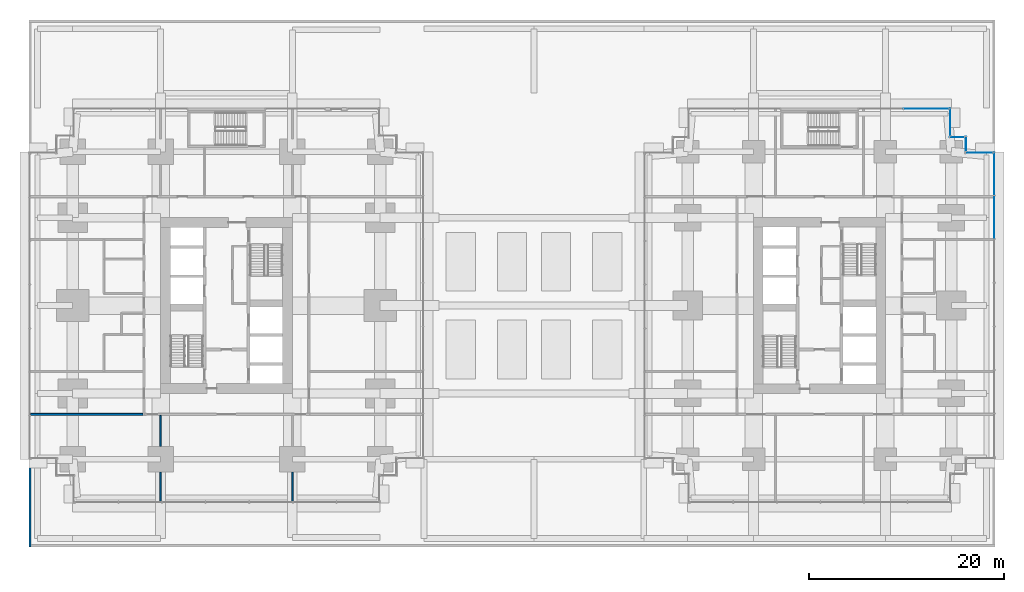
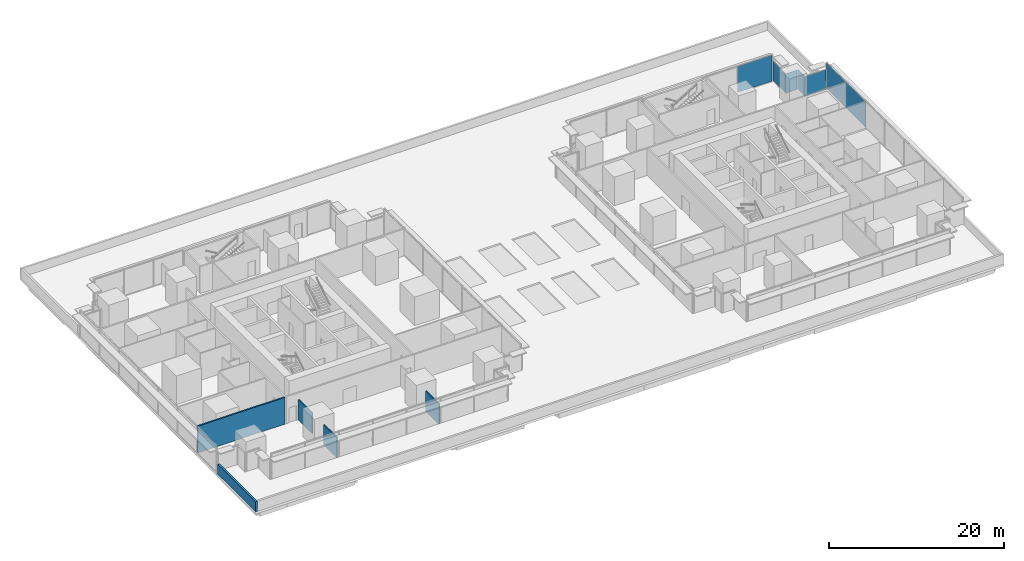
# One storey, part 23 of 34: 7 plates, 5 walls, 6 elements without a shape of their own.
"""IFC4 building model written with IfcOpenShell, lengths in metres."""

from ifc_helpers import new_model, si_unit, direction, frame, frame_2d, origin, origin_2d, place, context, subcontext, project, spatial, rectangle, extrude, material, layer, layer_set, type_object, element, aggregate, save


model = new_model("IFC4")

# Units and contexts
model_context = context("Model", 3, precision=1e-05, world=origin(), true_north=direction((0.0, 1.0)))
body_context = subcontext(model_context, "Body", "Model", "MODEL_VIEW")
ifc_project = project(units=[si_unit("LENGTHUNIT", "METRE"), si_unit("AREAUNIT", "SQUARE_METRE"), si_unit("VOLUMEUNIT", "CUBIC_METRE"), si_unit("PLANEANGLEUNIT", "RADIAN"), si_unit("MASSUNIT", "GRAM", prefix="KILO")], contexts=[model_context])

# Site, building, storey
site_placement = place(None, origin())
site = spatial("IfcSite", under=ifc_project, at=site_placement, CompositionType="ELEMENT")
building_placement = place(site_placement, origin())
building = spatial("IfcBuilding", under=site, at=building_placement, Name="Namib Vertical Campus", CompositionType="ELEMENT")
storey_placement = place(building_placement, frame((0.0, 0.0, 21.0)))
storey = spatial("IfcBuildingStorey", under=building, at=storey_placement, Name="L04", CompositionType="ELEMENT", Elevation=21.0)

# Curtain wall, plates
ifc_material_1 = material(Name="Black aluminium curtain wall", Category="aluminium")
ifc_layer_1 = layer(ifc_material_1, 0.199951171875)
ifc_layer_set_1 = layer_set([ifc_layer_1], Name="Lounge curtain wall CW-L4")
curtain_wall_type = type_object("IfcCurtainWallType", Name="Lounge curtain wall CW-L4", PredefinedType="USERDEFINED", material=ifc_layer_set_1)
curtain_wall_1_placement = place(storey_placement, origin())
curtain_wall_1 = element("IfcCurtainWall", 1, at=curtain_wall_1_placement, inside=storey, type_object=curtain_wall_type, Name="Curtain wall CW-L4 L04 F06-1", ObjectType="CURTAIN WALL", PredefinedType="USERDEFINED")
ifc_material_2 = material(Name="Dark tinted glass", Category="glass")
ifc_layer_2 = layer(ifc_material_2, 0.028076171875)
ifc_layer_set_2 = layer_set([ifc_layer_2], Name="Dark solar glass panel 28")
plate_type = type_object("IfcPlateType", Name="Dark solar glass panel 28", PredefinedType="CURTAIN_PANEL", material=ifc_layer_set_2)
plate_1_placement = place(storey_placement, frame((98.89990234375, 29.29296875, 0.06005859375), z_axis=(0.0, 0.0, 1.0), x_axis=(0.0, 1.0, 0.0)))
plate_1 = element("IfcPlate", 2, at=plate_1_placement, type_object=plate_type, Name="CW-L4 panel 6.1", PredefinedType="CURTAIN_PANEL", context=body_context, shape_type="SweptSolid", body=[
    extrude(rectangle(XDim=4.411376953125, YDim=0.028076171875, at=origin_2d()), origin(), (0.0, 0.0, 1.0), 3.6298828125),
])
plate_2_placement = place(storey_placement, frame((98.89990234375, 33.749267578125, 0.06005859375), z_axis=(0.0, 0.0, 1.0), x_axis=(0.0, 1.0, 0.0)))
plate_2 = element("IfcPlate", 3, at=plate_2_placement, type_object=plate_type, Name="CW-L4 panel 7.1", PredefinedType="CURTAIN_PANEL", context=body_context, shape_type="SweptSolid", body=[
    extrude(rectangle(XDim=4.38134765625, YDim=0.028076171875, at=origin_2d()), origin(), (0.0, 0.0, 1.0), 3.6298828125),
])
aggregate(curtain_wall_1, [plate_1, plate_2])

# Curtain wall, plate
curtain_wall_2_placement = place(storey_placement, origin())
curtain_wall_2 = element("IfcCurtainWall", 4, at=curtain_wall_2_placement, inside=storey, type_object=curtain_wall_type, Name="Curtain wall CW-L4 L04 F07-1", ObjectType="CURTAIN WALL", PredefinedType="USERDEFINED")
plate_3_placement = place(storey_placement, frame((97.35009765625, 35.89990234375, 0.06005859375), z_axis=(0.0, 0.0, 1.0), x_axis=(-1.0, 0.0, 0.0)))
plate_3 = element("IfcPlate", 5, at=plate_3_placement, type_object=plate_type, Name="CW-L4 panel 1.1", PredefinedType="CURTAIN_PANEL", context=body_context, shape_type="SweptSolid", body=[
    extrude(rectangle(XDim=2.780029296875, YDim=0.028076171875, at=origin_2d()), origin(), (0.0, 0.0, 1.0), 2.72998046875),
])
aggregate(curtain_wall_2, [plate_3])

curtain_wall_3_placement = place(storey_placement, origin())
curtain_wall_3 = element("IfcCurtainWall", 6, at=curtain_wall_3_placement, inside=storey, type_object=curtain_wall_type, Name="Curtain wall CW-L4 L04 F08-1", ObjectType="CURTAIN WALL", PredefinedType="USERDEFINED")
plate_4_placement = place(storey_placement, frame((96.0, 36.800048828125, 0.06005859375), z_axis=(0.0, 0.0, 1.0), x_axis=(0.0, 1.0, 0.0)))
plate_4 = element("IfcPlate", 7, at=plate_4_placement, type_object=plate_type, Name="CW-L4 panel 1.1", PredefinedType="CURTAIN_PANEL", context=body_context, shape_type="SweptSolid", body=[
    extrude(rectangle(XDim=1.47998046875, YDim=0.028076171875, at=origin_2d()), origin(), (0.0, 0.0, 1.0), 2.72998046875),
])
aggregate(curtain_wall_3, [plate_4])

curtain_wall_4_placement = place(storey_placement, origin())
curtain_wall_4 = element("IfcCurtainWall", 8, at=curtain_wall_4_placement, inside=storey, type_object=curtain_wall_type, Name="Curtain wall CW-L4 L04 F09-1", ObjectType="CURTAIN WALL", PredefinedType="USERDEFINED")
plate_5_placement = place(storey_placement, frame((95.10009765625, 37.5, 0.06005859375), z_axis=(0.0, 0.0, 1.0), x_axis=(-1.0, 0.0, 0.0)))
plate_5 = element("IfcPlate", 9, at=plate_5_placement, type_object=plate_type, Name="CW-L4 panel 1.1", PredefinedType="CURTAIN_PANEL", context=body_context, shape_type="SweptSolid", body=[
    extrude(rectangle(XDim=1.47998046875, YDim=0.028076171875, at=origin_2d()), origin(), (0.0, 0.0, 1.0), 2.72998046875),
])
aggregate(curtain_wall_4, [plate_5])

curtain_wall_5_placement = place(storey_placement, origin())
curtain_wall_5 = element("IfcCurtainWall", 10, at=curtain_wall_5_placement, inside=storey, type_object=curtain_wall_type, Name="Curtain wall CW-L4 L04 F10-1", ObjectType="CURTAIN WALL", PredefinedType="USERDEFINED")
plate_6_placement = place(storey_placement, frame((94.39990234375, 39.050048828125, 0.06005859375), z_axis=(0.0, 0.0, 1.0), x_axis=(0.0, 1.0, 0.0)))
plate_6 = element("IfcPlate", 11, at=plate_6_placement, type_object=plate_type, Name="CW-L4 panel 1.1", PredefinedType="CURTAIN_PANEL", context=body_context, shape_type="SweptSolid", body=[
    extrude(rectangle(XDim=2.780029296875, YDim=0.028076171875, at=origin_2d()), origin(), (0.0, 0.0, 1.0), 2.72998046875),
])
aggregate(curtain_wall_5, [plate_6])

curtain_wall_6_placement = place(storey_placement, origin())
curtain_wall_6 = element("IfcCurtainWall", 12, at=curtain_wall_6_placement, inside=storey, type_object=curtain_wall_type, Name="Curtain wall CW-L4 L04 F11-1", ObjectType="CURTAIN WALL", PredefinedType="USERDEFINED")
plate_7_placement = place(storey_placement, frame((91.947509765625, 40.39990234375, 0.06005859375), z_axis=(0.0, 0.0, 1.0), x_axis=(-1.0, 0.0, 0.0)))
plate_7 = element("IfcPlate", 13, at=plate_7_placement, type_object=plate_type, Name="CW-L4 panel 1.1", PredefinedType="CURTAIN_PANEL", context=body_context, shape_type="SweptSolid", body=[
    extrude(rectangle(XDim=4.5849609375, YDim=0.028076171875, at=origin_2d()), origin(), (0.0, 0.0, 1.0), 3.6298828125),
])
aggregate(curtain_wall_6, [plate_7])

# Walls
ifc_material_3 = material(Name="Concrete masonry", Category="masonry")
ifc_layer_3 = layer(ifc_material_3, 0.199951171875)
ifc_layer_set_3 = layer_set([ifc_layer_3], Name="Corridor wall 200")
wall_type_1 = type_object("IfcWallType", Name="Corridor wall 200", PredefinedType="SOLIDWALL", material=ifc_layer_set_3)
wall_1_placement = place(storey_placement, frame((0.179931640625, 9.10009765625, 0.0), z_axis=(0.0, 0.0, 1.0), x_axis=(1.0, 0.0, 0.0)))
element("IfcWall", 14, at=wall_1_placement, inside=storey, type_object=wall_type_1, Name="Partition A L04 BSW", PredefinedType="SOLIDWALL", context=body_context, shape_type="SweptSolid", body=[
    extrude(rectangle(XDim=11.52001953125, YDim=0.199951171875, at=frame_2d((5.760009765625, 0.0))), origin(), (0.0, 0.0, 1.0), 3.75),
])
ifc_material_4 = material(Name="Concrete C40/50", Category="concrete")
ifc_layer_4 = layer(ifc_material_4, 0.25)
ifc_layer_set_4 = layer_set([ifc_layer_4], Name="Concrete C40/50")
wall_type_2 = type_object("IfcWallType", Name="Parapet wall 250", PredefinedType="PARAPET", material=ifc_layer_set_4)
wall_2_placement = place(storey_placement, frame((0.125, 4.199951171875, 0.0), z_axis=(0.0, 0.0, 1.0), x_axis=(0.0, -1.0, 0.0)))
element("IfcWall", 15, at=wall_2_placement, inside=storey, type_object=wall_type_2, Name="Parapet PW1 podium 4-2", PredefinedType="PARAPET", context=body_context, shape_type="SweptSolid", body=[
    extrude(rectangle(XDim=8.699951171875, YDim=0.25, at=frame_2d((4.35009765625, 0.0))), origin(), (0.0, 0.0, 1.0), 1.39990234375),
])
ifc_material_5 = material(Name="Gypsum board on steel studs", Category="steel")
ifc_layer_5 = layer(ifc_material_5, 0.14990234375)
ifc_layer_set_5 = layer_set([ifc_layer_5], Name="Gypsum board on steel studs")
wall_type_3 = type_object("IfcWallType", Name="Partition 150", PredefinedType="PARTITIONING", material=ifc_layer_set_5)
wall_3_placement = place(storey_placement, frame((13.5, 0.179931640625, 0.0), z_axis=(0.0, 0.0, 1.0), x_axis=(0.0, 1.0, 0.0)))
element("IfcWall", 16, at=wall_3_placement, inside=storey, type_object=wall_type_3, Name="Partition A L04 PS1", PredefinedType="PARTITIONING", context=body_context, shape_type="SweptSolid", body=[
    extrude(rectangle(XDim=3.0, YDim=0.14990234375, at=frame_2d((1.5, 0.0))), origin(), (0.0, 0.0, 1.0), 2.85009765625),
])
wall_4_placement = place(storey_placement, frame((13.5, 5.820068359375, 0.0), z_axis=(0.0, 0.0, 1.0), x_axis=(0.0, 1.0, 0.0)))
element("IfcWall", 17, at=wall_4_placement, inside=storey, type_object=wall_type_3, Name="Partition A L04 PS1", PredefinedType="PARTITIONING", context=body_context, shape_type="SweptSolid", body=[
    extrude(rectangle(XDim=3.179931640625, YDim=0.14990234375, at=frame_2d((1.58984375, 0.0))), origin(), (0.0, 0.0, 1.0), 2.85009765625),
])
wall_5_placement = place(storey_placement, frame((27.0, 0.179931640625, 0.0), z_axis=(0.0, 0.0, 1.0), x_axis=(0.0, 1.0, 0.0)))
element("IfcWall", 18, at=wall_5_placement, inside=storey, type_object=wall_type_3, Name="Partition A L04 PS2", PredefinedType="PARTITIONING", context=body_context, shape_type="SweptSolid", body=[
    extrude(rectangle(XDim=3.0, YDim=0.14990234375, at=frame_2d((1.5, 0.0))), origin(), (0.0, 0.0, 1.0), 2.85009765625),
])

save(model, "model.ifc")
